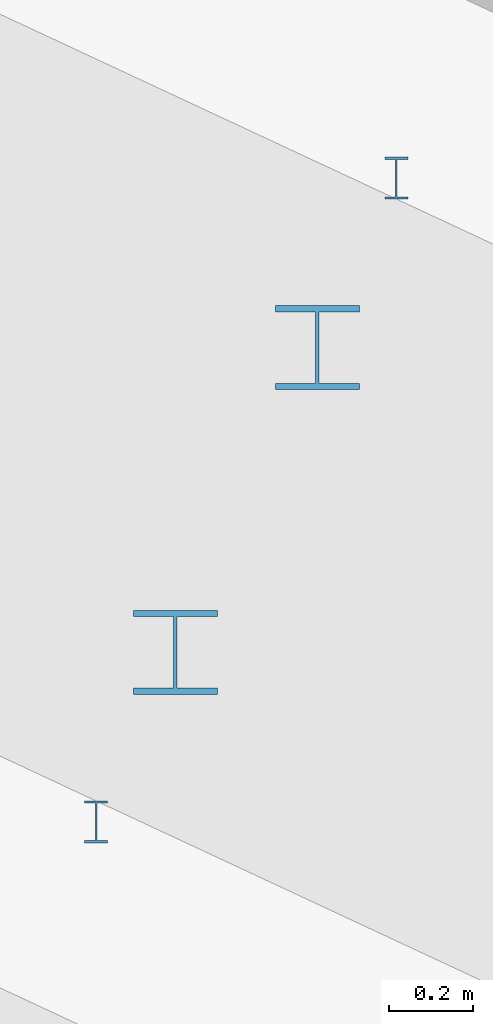
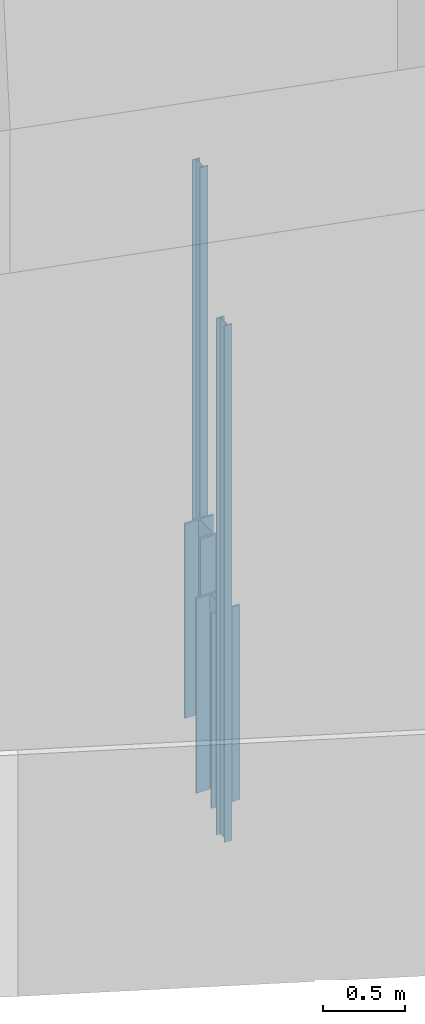
# One storey, part 18 of 65: 4 members.
"""IFC4 building model written with IfcOpenShell, lengths in metres."""

from ifc_helpers import new_model, si_unit, direction, frame, origin, origin_2d, place, context, subcontext, project, spatial, i_section, extrude, material, material_profile, profile_set, type_object, element, save


model = new_model("IFC4")

# Units and contexts
model_context = context("Model", 3, precision=1e-05, world=origin(), true_north=direction((0.0, 1.0)))
body_context = subcontext(model_context, "Body", "Model", "MODEL_VIEW")
ifc_project = project(units=[si_unit("LENGTHUNIT", "METRE"), si_unit("AREAUNIT", "SQUARE_METRE"), si_unit("VOLUMEUNIT", "CUBIC_METRE"), si_unit("PLANEANGLEUNIT", "RADIAN"), si_unit("MASSUNIT", "GRAM", prefix="KILO")], contexts=[model_context])

# Site, building, storey
site_placement = place(None, origin())
site = spatial("IfcSite", under=ifc_project, at=site_placement, CompositionType="ELEMENT")
building_placement = place(site_placement, origin())
building = spatial("IfcBuilding", under=site, at=building_placement, Name="Volute Hill Aquarium", CompositionType="ELEMENT")
storey_placement = place(building_placement, frame((0.0, 0.0, -5.5)))
storey = spatial("IfcBuildingStorey", under=building, at=storey_placement, Name="L00", CompositionType="ELEMENT", Elevation=-5.5)

# Members
ifc_material_1 = material(Name="Steel S355", Category="steel")
ifc_material_profile_1 = material_profile(ifc_material_1, i_section(OverallWidth=0.199951171875, OverallDepth=0.199951171875, WebThickness=0.009033203125, FlangeThickness=0.014892578125, at=origin_2d()), Name="HEB 200")
ifc_profile_set_1 = profile_set([ifc_material_profile_1], Name="Steel S355")
member_type_1 = type_object("IfcMemberType", Name="Lift buffer HEB 200", PredefinedType="POST", material=ifc_profile_set_1)
for number, where, z_axis, x_axis, name in (
    (1, (37.759521484375, -16.393798828125, -1.39990234375), (0.0, 0.0, 1.0), (1.0, 0.0, 0.0), "LB-S4-A 1"),
    (2, (38.097412109375, -15.668701171875, -1.39990234375), (0.0, 0.0, 1.0), (1.0, 0.0, 0.0), "LB-S4-A 2"),
):
    element("IfcMember", number, at=place(storey_placement, frame(where, z_axis=z_axis, x_axis=x_axis)), inside=storey, type_object=member_type_1, Name=name, PredefinedType="POST", context=body_context, shape_type="SweptSolid", body=[
        extrude(i_section(OverallWidth=0.199951171875, OverallDepth=0.199951171875, WebThickness=0.009033203125, FlangeThickness=0.014892578125, at=origin_2d()), origin(), (0.0, 0.0, 1.0), 1.449951171875),
    ])
ifc_material_2 = material(Name="Steel S355", Category="steel")
ifc_material_profile_2 = material_profile(ifc_material_2, i_section(OverallWidth=0.054931640625, OverallDepth=0.10009765625, WebThickness=0.004150390625, FlangeThickness=0.005615234375, at=origin_2d()), Name="IPE 100")
ifc_profile_set_2 = profile_set([ifc_material_profile_2], Name="Steel S355")
member_type_2 = type_object("IfcMemberType", Name="Lift guide rail IPE 100", PredefinedType="POST", material=ifc_profile_set_2)
for number, where, z_axis, x_axis, name in (
    (3, (37.5712890625, -16.797119140625, -1.39990234375), (0.0, 0.0, 1.0), (1.0, 0.0, 0.0), "LR-S4-A 1"),
    (4, (38.28564453125, -15.265380859375, -1.39990234375), (0.0, 0.0, 1.0), (1.0, 0.0, 0.0), "LR-S4-A 2"),
):
    element("IfcMember", number, at=place(storey_placement, frame(where, z_axis=z_axis, x_axis=x_axis)), inside=storey, type_object=member_type_2, Name=name, PredefinedType="POST", context=body_context, shape_type="SweptSolid", body=[
        extrude(i_section(OverallWidth=0.054931640625, OverallDepth=0.10009765625, WebThickness=0.004150390625, FlangeThickness=0.005615234375, at=origin_2d()), origin(), (0.0, 0.0, 1.0), 3.849853515625),
    ])

save(model, "model.ifc")
